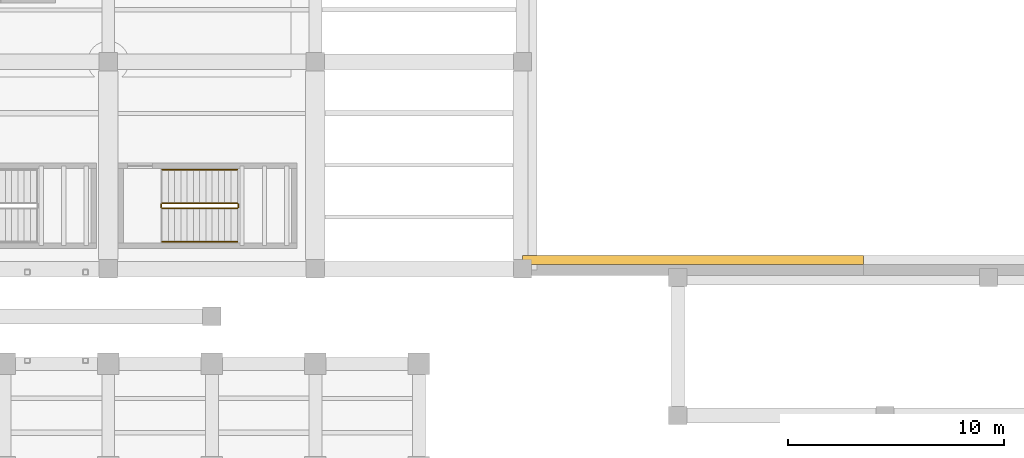
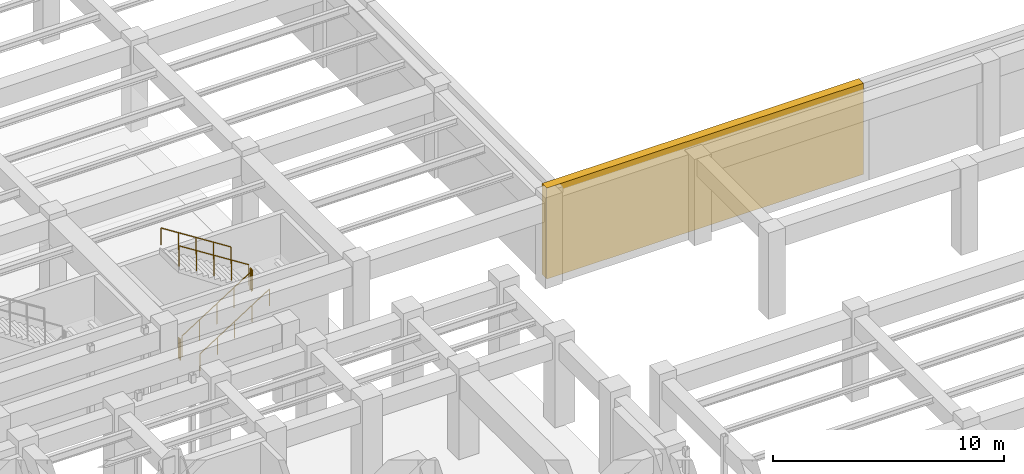
# One storey, part 41 of 45: 6 railings, 1 covering.
"""IFC4 building model written with IfcOpenShell, lengths in metres."""

from ifc_helpers import new_model, si_unit, direction, frame, origin, origin_2d, place, context, subcontext, project, spatial, polyline, circle, outline, extrude, material, layer, layer_set, type_object, element, save


model = new_model("IFC4")

# Units and contexts
model_context = context("Model", 3, precision=1e-05, world=origin(), true_north=direction((0.0, 1.0)))
body_context = subcontext(model_context, "Body", "Model", "MODEL_VIEW")
ifc_project = project(units=[si_unit("LENGTHUNIT", "METRE"), si_unit("AREAUNIT", "SQUARE_METRE"), si_unit("VOLUMEUNIT", "CUBIC_METRE"), si_unit("PLANEANGLEUNIT", "RADIAN"), si_unit("MASSUNIT", "GRAM", prefix="KILO")], contexts=[model_context])

# Site, building, storey
site_placement = place(None, origin())
site = spatial("IfcSite", under=ifc_project, at=site_placement, CompositionType="ELEMENT")
building_placement = place(site_placement, origin())
building = spatial("IfcBuilding", under=site, at=building_placement, Name="Mavantir Sound Aquarium", CompositionType="ELEMENT")
storey_placement = place(building_placement, frame((0.0, 0.0, -4.800048828125)))
storey = spatial("IfcBuildingStorey", under=building, at=storey_placement, Name="B1", CompositionType="ELEMENT", Elevation=-4.800048828125)

# Covering
ifc_material_1 = material(Name="Honed Coral-Limestone & Glazed Terracotta Rainscreen Cladding", Category="masonry")
ifc_layer = layer(ifc_material_1, 0.06005859375, Name="Honed Coral-Limestone & Glazed Terracotta Rainscreen Cladding")
ifc_layer_set = layer_set([ifc_layer], Name="Honed Coral-Limestone & Glazed Terracotta Rainscreen Cladding")
covering_type = type_object("IfcCoveringType", Name="COV-CLAD-TC", PredefinedType="CLADDING", material=ifc_layer_set)
covering_placement = place(storey_placement, origin())
element("IfcCovering", 1, at=covering_placement, inside=storey, type_object=covering_type, Name="B1 rusticated coral-stone plinth cladding 31", PredefinedType="CLADDING", context=body_context, shape_type="SweptSolid", body=[
    extrude(outline(polyline([(54.199951171875, 83.800048828125), (38.39990234375, 83.800048828125), (38.39990234375, 84.2099609375), (54.199951171875, 84.2099609375), (54.199951171875, 83.800048828125)])), origin(), (0.0, 0.0, 1.0), 4.800048828125),
])

# Railings
ifc_material_2 = material(Name="Stainless Steel 316 and Laminated Glass Guardrail", Category="steel")
railing_type_1 = type_object("IfcRailingType", Name="RL-GUARD-110", PredefinedType="GUARDRAIL", material=ifc_material_2)
railing_1_placement = place(storey_placement, frame((21.699951171875, 86.39990234375, 0.1845703125)))
element("IfcRailing", 2, at=railing_1_placement, inside=storey, type_object=railing_type_1, Name="B1 ST7 stair guard 1", PredefinedType="GUARDRAIL", context=body_context, shape_type="SweptSolid", body=[
    extrude(circle(Radius=0.02392578125, at=origin_2d()), frame((0.0, 0.0, 1.076171875), z_axis=(0.843546938479, 0.0, 0.53705545578), x_axis=(0.0, 1.0, 0.0)), (0.0, 0.0, 1.0), 4.12548828125),
    extrude(circle(Radius=0.02099609375, at=origin_2d()), origin(), (0.0, 0.0, 1.0), 1.052001953125),
    extrude(circle(Radius=0.02099609375, at=origin_2d()), frame((0.8701171875, 0.0, 0.553955078125)), (0.0, 0.0, 1.0), 1.052001953125),
    extrude(circle(Radius=0.02099609375, at=origin_2d()), frame((1.739990234375, 0.0, 1.10791015625)), (0.0, 0.0, 1.0), 1.052001953125),
    extrude(circle(Radius=0.02099609375, at=origin_2d()), frame((2.60986328125, 0.0, 1.66162109375)), (0.0, 0.0, 1.0), 1.052001953125),
    extrude(circle(Radius=0.02099609375, at=origin_2d()), frame((3.47998046875, 0.0, 2.215576171875)), (0.0, 0.0, 1.0), 1.052001953125),
])
railing_2_placement = place(storey_placement, frame((25.22998046875, 86.449951171875, 2.400146484375)))
element("IfcRailing", 3, at=railing_2_placement, inside=storey, type_object=railing_type_1, Name="B1 ST7 stair guard 2", PredefinedType="GUARDRAIL", context=body_context, shape_type="SweptSolid", body=[
    extrude(circle(Radius=0.02392578125, at=origin_2d()), frame((0.0, 0.0, 1.076171875), z_axis=(0.0, 1.0, 0.0), x_axis=(-1.0, 0.0, 0.0)), (0.0, 0.0, 1.0), 0.150146484375),
    extrude(circle(Radius=0.02099609375, at=origin_2d()), origin(), (0.0, 0.0, 1.0), 1.052001953125),
    extrude(circle(Radius=0.02099609375, at=origin_2d()), frame((0.0, 0.150146484375, 0.0)), (0.0, 0.0, 1.0), 1.052001953125),
])
railing_3_placement = place(storey_placement, frame((25.179931640625, 86.64990234375, 2.584716796875)))
element("IfcRailing", 4, at=railing_3_placement, inside=storey, type_object=railing_type_1, Name="B1 ST7 stair guard 3", PredefinedType="GUARDRAIL", context=body_context, shape_type="SweptSolid", body=[
    extrude(circle(Radius=0.02392578125, at=origin_2d()), frame((0.0, 0.0, 1.076171875), z_axis=(-0.843573748531, 0.0, 0.537013343214), x_axis=(0.0, -1.0, 0.0)), (0.0, 0.0, 1.0), 4.125244140625),
    extrude(circle(Radius=0.02099609375, at=origin_2d()), origin(), (0.0, 0.0, 1.0), 1.052001953125),
    extrude(circle(Radius=0.02099609375, at=origin_2d()), frame((-0.8701171875, 0.0, 0.5537109375)), (0.0, 0.0, 1.0), 1.052001953125),
    extrude(circle(Radius=0.02099609375, at=origin_2d()), frame((-1.739990234375, 0.0, 1.107666015625)), (0.0, 0.0, 1.0), 1.052001953125),
    extrude(circle(Radius=0.02099609375, at=origin_2d()), frame((-2.60986328125, 0.0, 1.66162109375)), (0.0, 0.0, 1.0), 1.052001953125),
    extrude(circle(Radius=0.02099609375, at=origin_2d()), frame((-3.47998046875, 0.0, 2.21533203125)), (0.0, 0.0, 1.0), 1.052001953125),
])
railing_4_placement = place(storey_placement, frame((21.64990234375, 86.449951171875, 0.0)))
element("IfcRailing", 5, at=railing_4_placement, inside=storey, type_object=railing_type_1, Name="B1 ST7 stair guard 4", PredefinedType="GUARDRAIL", context=body_context, shape_type="SweptSolid", body=[
    extrude(circle(Radius=0.02392578125, at=origin_2d()), frame((0.0, 0.0, 1.076171875), z_axis=(0.0, 1.0, 0.0), x_axis=(-1.0, 0.0, 0.0)), (0.0, 0.0, 1.0), 0.150146484375),
    extrude(circle(Radius=0.02099609375, at=origin_2d()), origin(), (0.0, 0.0, 1.0), 1.052001953125),
    extrude(circle(Radius=0.02099609375, at=origin_2d()), frame((0.0, 0.150146484375, 0.0)), (0.0, 0.0, 1.0), 1.052001953125),
])
ifc_material_3 = material(Name="Brushed Stainless Steel 316 Handrail", Category="steel")
railing_type_2 = type_object("IfcRailingType", Name="RL-HR-90", PredefinedType="HANDRAIL", material=ifc_material_3)
railing_5_placement = place(storey_placement, frame((21.699951171875, 84.85009765625, 0.36962890625)))
element("IfcRailing", 6, at=railing_5_placement, inside=storey, type_object=railing_type_2, Name="B1 ST7 stair handrail 1", PredefinedType="HANDRAIL", context=body_context, shape_type="SweptSolid", body=[
    extrude(circle(Radius=0.02392578125, at=origin_2d()), frame((0.0, 0.0, 0.89111328125), z_axis=(0.843573748531, 0.0, 0.537013343214), x_axis=(0.0, 1.0, 0.0)), (0.0, 0.0, 1.0), 4.125244140625),
    extrude(circle(Radius=0.02099609375, at=origin_2d()), origin(), (0.0, 0.0, 1.0), 0.866943359375),
    extrude(circle(Radius=0.02099609375, at=origin_2d()), frame((0.8701171875, 0.0, 0.5537109375)), (0.0, 0.0, 1.0), 0.866943359375),
    extrude(circle(Radius=0.02099609375, at=origin_2d()), frame((1.739990234375, 0.0, 1.107666015625)), (0.0, 0.0, 1.0), 0.866943359375),
    extrude(circle(Radius=0.02099609375, at=origin_2d()), frame((2.60986328125, 0.0, 1.66162109375)), (0.0, 0.0, 1.0), 0.866943359375),
    extrude(circle(Radius=0.02099609375, at=origin_2d()), frame((3.47998046875, 0.0, 2.21533203125)), (0.0, 0.0, 1.0), 0.866943359375),
])
railing_6_placement = place(storey_placement, frame((25.179931640625, 88.199951171875, 2.769775390625)))
element("IfcRailing", 7, at=railing_6_placement, inside=storey, type_object=railing_type_2, Name="B1 ST7 stair handrail 2", PredefinedType="HANDRAIL", context=body_context, shape_type="SweptSolid", body=[
    extrude(circle(Radius=0.02392578125, at=origin_2d()), frame((0.0, 0.0, 0.89111328125), z_axis=(-0.843573748531, 0.0, 0.537013343214), x_axis=(0.0, -1.0, 0.0)), (0.0, 0.0, 1.0), 4.125244140625),
    extrude(circle(Radius=0.02099609375, at=origin_2d()), origin(), (0.0, 0.0, 1.0), 0.866943359375),
    extrude(circle(Radius=0.02099609375, at=origin_2d()), frame((-0.8701171875, 0.0, 0.5537109375)), (0.0, 0.0, 1.0), 0.866943359375),
    extrude(circle(Radius=0.02099609375, at=origin_2d()), frame((-1.739990234375, 0.0, 1.107666015625)), (0.0, 0.0, 1.0), 0.866943359375),
    extrude(circle(Radius=0.02099609375, at=origin_2d()), frame((-2.60986328125, 0.0, 1.66162109375)), (0.0, 0.0, 1.0), 0.866943359375),
    extrude(circle(Radius=0.02099609375, at=origin_2d()), frame((-3.47998046875, 0.0, 2.21533203125)), (0.0, 0.0, 1.0), 0.866943359375),
])

save(model, "model.ifc")
